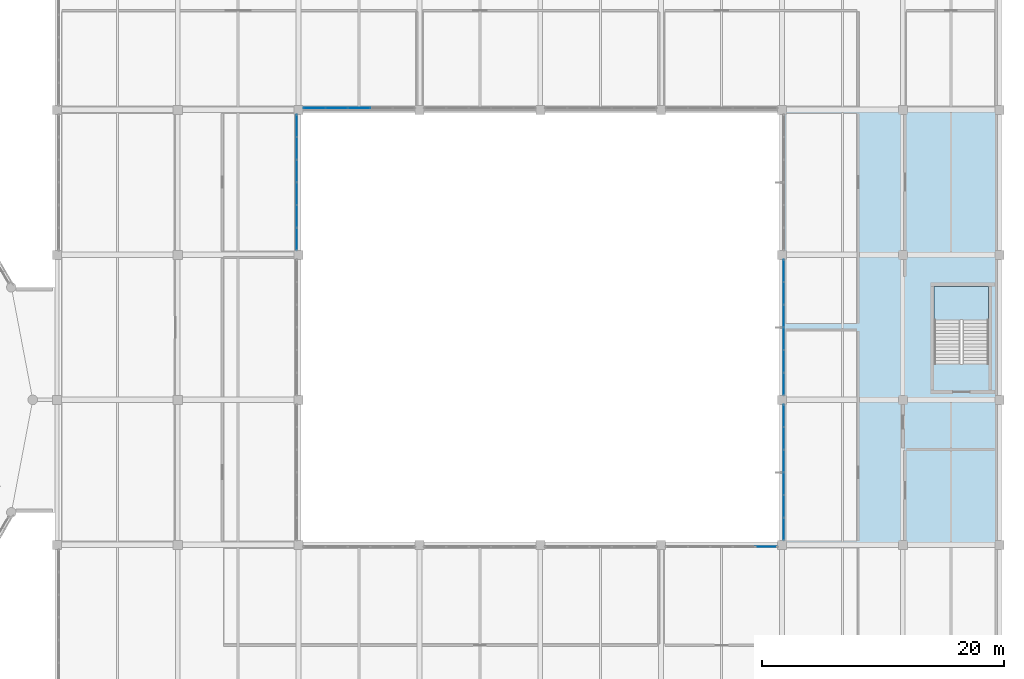
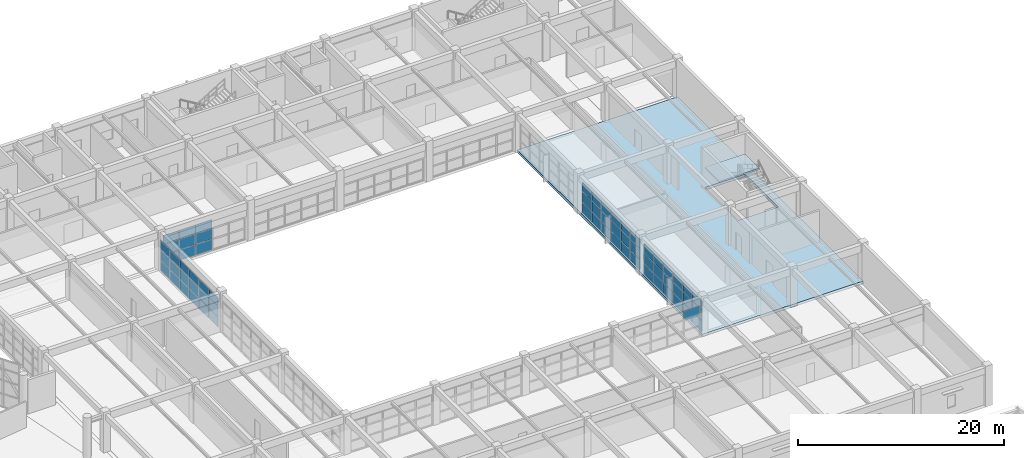
# One storey, part 76 of 109: 64 plates, 2 slabs, 6 elements without a shape of their own.
"""IFC4 building model written with IfcOpenShell, lengths in metres."""

from ifc_helpers import new_model, si_unit, direction, frame, origin, origin_2d, place, context, subcontext, project, spatial, polyline, rectangle, outline, extrude, material, layer, layer_set, type_object, element, aggregate, save


model = new_model("IFC4")

# Units and contexts
model_context = context("Model", 3, precision=1e-05, world=origin(), true_north=direction((0.0, 1.0)))
body_context = subcontext(model_context, "Body", "Model", "MODEL_VIEW")
ifc_project = project(units=[si_unit("LENGTHUNIT", "METRE"), si_unit("AREAUNIT", "SQUARE_METRE"), si_unit("VOLUMEUNIT", "CUBIC_METRE"), si_unit("PLANEANGLEUNIT", "RADIAN"), si_unit("MASSUNIT", "GRAM", prefix="KILO")], contexts=[model_context])

# Site, building, storey
site_placement = place(None, origin())
site = spatial("IfcSite", under=ifc_project, at=site_placement, CompositionType="ELEMENT")
building_placement = place(site_placement, origin())
building = spatial("IfcBuilding", under=site, at=building_placement, Name="Kivolera Central Railway Station", CompositionType="ELEMENT")
storey_placement = place(building_placement, frame((0.0, 0.0, 9.60009765625)))
storey = spatial("IfcBuildingStorey", under=building, at=storey_placement, Name="L02", CompositionType="ELEMENT", Elevation=9.60009765625)

# Curtain wall, plates
ifc_material_1 = material(Name="Anodised aluminium", Category="aluminium")
ifc_layer_1 = layer(ifc_material_1, 0.179931640625, Name="Anodised aluminium")
ifc_layer_set_1 = layer_set([ifc_layer_1], Name="Anodised aluminium")
curtain_wall_type_1 = type_object("IfcCurtainWallType", Name="CW-SYS-28", PredefinedType="NOTDEFINED", material=ifc_layer_set_1)
curtain_wall_1_placement = place(storey_placement, origin())
curtain_wall_1 = element("IfcCurtainWall", 1, at=curtain_wall_1_placement, inside=storey, type_object=curtain_wall_type_1, Name="L02 Curtain Wall CW-L02-CRTW-J", PredefinedType="NOTDEFINED")
ifc_material_2 = material(Name="Double low-E laminated glass", Category="glass")
ifc_layer_2 = layer(ifc_material_2, 0.02587890625, Name="Double low-E laminated glass")
ifc_layer_set_2 = layer_set([ifc_layer_2], Name="Double low-E laminated glass")
plate_type_1 = type_object("IfcPlateType", Name="CWP-GLZ-1", PredefinedType="CURTAIN_PANEL", material=ifc_layer_set_2)
plate_1_placement = place(storey_placement, frame((137.846923828125, 112.6767578125, 0.0478515625), z_axis=(0.0, 0.0, 1.0), x_axis=(0.0, -1.0, 0.0)))
plate_1 = element("IfcPlate", 2, at=plate_1_placement, type_object=plate_type_1, Name="CW-28 panel 1.1", PredefinedType="CURTAIN_PANEL", context=body_context, shape_type="SweptSolid", body=[
    extrude(rectangle(XDim=1.810546875, YDim=0.02587890625, at=origin_2d()), origin(), (0.0, 0.0, 1.0), 1.21435546875),
])
plate_2_placement = place(storey_placement, frame((137.846923828125, 112.6767578125, 1.29833984375), z_axis=(0.0, 0.0, 1.0), x_axis=(0.0, -1.0, 0.0)))
plate_2 = element("IfcPlate", 3, at=plate_2_placement, type_object=plate_type_1, Name="CW-28 panel 1.2", PredefinedType="CURTAIN_PANEL", context=body_context, shape_type="SweptSolid", body=[
    extrude(rectangle(XDim=1.810546875, YDim=0.02587890625, at=origin_2d()), origin(), (0.0, 0.0, 1.0), 1.244384765625),
])
plate_3_placement = place(storey_placement, frame((137.846923828125, 112.6767578125, 2.57861328125), z_axis=(0.0, 0.0, 1.0), x_axis=(0.0, -1.0, 0.0)))
plate_3 = element("IfcPlate", 4, at=plate_3_placement, type_object=plate_type_1, Name="CW-28 panel 1.3", PredefinedType="CURTAIN_PANEL", context=body_context, shape_type="SweptSolid", body=[
    extrude(rectangle(XDim=1.810546875, YDim=0.02587890625, at=origin_2d()), origin(), (0.0, 0.0, 1.0), 1.031494140625),
])
plate_4_placement = place(storey_placement, frame((137.846923828125, 110.81494140625, 0.0478515625), z_axis=(0.0, 0.0, 1.0), x_axis=(0.0, -1.0, 0.0)))
plate_4 = element("IfcPlate", 5, at=plate_4_placement, type_object=plate_type_1, Name="CW-28 panel 2.1", PredefinedType="CURTAIN_PANEL", context=body_context, shape_type="SweptSolid", body=[
    extrude(rectangle(XDim=1.840576171875, YDim=0.02587890625, at=origin_2d()), origin(), (0.0, 0.0, 1.0), 1.21435546875),
])
plate_5_placement = place(storey_placement, frame((137.846923828125, 110.81494140625, 1.29833984375), z_axis=(0.0, 0.0, 1.0), x_axis=(0.0, -1.0, 0.0)))
plate_5 = element("IfcPlate", 6, at=plate_5_placement, type_object=plate_type_1, Name="CW-28 panel 2.2", PredefinedType="CURTAIN_PANEL", context=body_context, shape_type="SweptSolid", body=[
    extrude(rectangle(XDim=1.840576171875, YDim=0.02587890625, at=origin_2d()), origin(), (0.0, 0.0, 1.0), 1.244384765625),
])
plate_6_placement = place(storey_placement, frame((137.846923828125, 110.81494140625, 2.57861328125), z_axis=(0.0, 0.0, 1.0), x_axis=(0.0, -1.0, 0.0)))
plate_6 = element("IfcPlate", 7, at=plate_6_placement, type_object=plate_type_1, Name="CW-28 panel 2.3", PredefinedType="CURTAIN_PANEL", context=body_context, shape_type="SweptSolid", body=[
    extrude(rectangle(XDim=1.840576171875, YDim=0.02587890625, at=origin_2d()), origin(), (0.0, 0.0, 1.0), 1.031494140625),
])
plate_7_placement = place(storey_placement, frame((137.846923828125, 108.938232421875, 0.0478515625), z_axis=(0.0, 0.0, 1.0), x_axis=(0.0, -1.0, 0.0)))
plate_7 = element("IfcPlate", 8, at=plate_7_placement, type_object=plate_type_1, Name="CW-28 panel 3.1", PredefinedType="CURTAIN_PANEL", context=body_context, shape_type="SweptSolid", body=[
    extrude(rectangle(XDim=1.840576171875, YDim=0.02587890625, at=origin_2d()), origin(), (0.0, 0.0, 1.0), 1.21435546875),
])
plate_8_placement = place(storey_placement, frame((137.846923828125, 108.938232421875, 1.29833984375), z_axis=(0.0, 0.0, 1.0), x_axis=(0.0, -1.0, 0.0)))
plate_8 = element("IfcPlate", 9, at=plate_8_placement, type_object=plate_type_1, Name="CW-28 panel 3.2", PredefinedType="CURTAIN_PANEL", context=body_context, shape_type="SweptSolid", body=[
    extrude(rectangle(XDim=1.840576171875, YDim=0.02587890625, at=origin_2d()), origin(), (0.0, 0.0, 1.0), 1.244384765625),
])
plate_9_placement = place(storey_placement, frame((137.846923828125, 108.938232421875, 2.57861328125), z_axis=(0.0, 0.0, 1.0), x_axis=(0.0, -1.0, 0.0)))
plate_9 = element("IfcPlate", 10, at=plate_9_placement, type_object=plate_type_1, Name="CW-28 panel 3.3", PredefinedType="CURTAIN_PANEL", context=body_context, shape_type="SweptSolid", body=[
    extrude(rectangle(XDim=1.840576171875, YDim=0.02587890625, at=origin_2d()), origin(), (0.0, 0.0, 1.0), 1.031494140625),
])
plate_10_placement = place(storey_placement, frame((137.846923828125, 107.061767578125, 0.0478515625), z_axis=(0.0, 0.0, 1.0), x_axis=(0.0, -1.0, 0.0)))
plate_10 = element("IfcPlate", 11, at=plate_10_placement, type_object=plate_type_1, Name="CW-28 panel 4.1", PredefinedType="CURTAIN_PANEL", context=body_context, shape_type="SweptSolid", body=[
    extrude(rectangle(XDim=1.840576171875, YDim=0.02587890625, at=origin_2d()), origin(), (0.0, 0.0, 1.0), 1.21435546875),
])
plate_11_placement = place(storey_placement, frame((137.846923828125, 107.061767578125, 1.29833984375), z_axis=(0.0, 0.0, 1.0), x_axis=(0.0, -1.0, 0.0)))
plate_11 = element("IfcPlate", 12, at=plate_11_placement, type_object=plate_type_1, Name="CW-28 panel 4.2", PredefinedType="CURTAIN_PANEL", context=body_context, shape_type="SweptSolid", body=[
    extrude(rectangle(XDim=1.840576171875, YDim=0.02587890625, at=origin_2d()), origin(), (0.0, 0.0, 1.0), 1.244384765625),
])
plate_12_placement = place(storey_placement, frame((137.846923828125, 107.061767578125, 2.57861328125), z_axis=(0.0, 0.0, 1.0), x_axis=(0.0, -1.0, 0.0)))
plate_12 = element("IfcPlate", 13, at=plate_12_placement, type_object=plate_type_1, Name="CW-28 panel 4.3", PredefinedType="CURTAIN_PANEL", context=body_context, shape_type="SweptSolid", body=[
    extrude(rectangle(XDim=1.840576171875, YDim=0.02587890625, at=origin_2d()), origin(), (0.0, 0.0, 1.0), 1.031494140625),
])
plate_13_placement = place(storey_placement, frame((137.846923828125, 105.18505859375, 0.0478515625), z_axis=(0.0, 0.0, 1.0), x_axis=(0.0, -1.0, 0.0)))
plate_13 = element("IfcPlate", 14, at=plate_13_placement, type_object=plate_type_1, Name="CW-28 panel 5.1", PredefinedType="CURTAIN_PANEL", context=body_context, shape_type="SweptSolid", body=[
    extrude(rectangle(XDim=1.840576171875, YDim=0.02587890625, at=origin_2d()), origin(), (0.0, 0.0, 1.0), 1.21435546875),
])
plate_14_placement = place(storey_placement, frame((137.846923828125, 105.18505859375, 1.29833984375), z_axis=(0.0, 0.0, 1.0), x_axis=(0.0, -1.0, 0.0)))
plate_14 = element("IfcPlate", 15, at=plate_14_placement, type_object=plate_type_1, Name="CW-28 panel 5.2", PredefinedType="CURTAIN_PANEL", context=body_context, shape_type="SweptSolid", body=[
    extrude(rectangle(XDim=1.840576171875, YDim=0.02587890625, at=origin_2d()), origin(), (0.0, 0.0, 1.0), 1.244384765625),
])
plate_15_placement = place(storey_placement, frame((137.846923828125, 105.18505859375, 2.57861328125), z_axis=(0.0, 0.0, 1.0), x_axis=(0.0, -1.0, 0.0)))
plate_15 = element("IfcPlate", 16, at=plate_15_placement, type_object=plate_type_1, Name="CW-28 panel 5.3", PredefinedType="CURTAIN_PANEL", context=body_context, shape_type="SweptSolid", body=[
    extrude(rectangle(XDim=1.840576171875, YDim=0.02587890625, at=origin_2d()), origin(), (0.0, 0.0, 1.0), 1.031494140625),
])
plate_16_placement = place(storey_placement, frame((137.846923828125, 103.3232421875, 0.0478515625), z_axis=(0.0, 0.0, 1.0), x_axis=(0.0, -1.0, 0.0)))
plate_16 = element("IfcPlate", 17, at=plate_16_placement, type_object=plate_type_1, Name="CW-28 panel 6.1", PredefinedType="CURTAIN_PANEL", context=body_context, shape_type="SweptSolid", body=[
    extrude(rectangle(XDim=1.810546875, YDim=0.02587890625, at=origin_2d()), origin(), (0.0, 0.0, 1.0), 1.21435546875),
])
plate_17_placement = place(storey_placement, frame((137.846923828125, 103.3232421875, 1.29833984375), z_axis=(0.0, 0.0, 1.0), x_axis=(0.0, -1.0, 0.0)))
plate_17 = element("IfcPlate", 18, at=plate_17_placement, type_object=plate_type_1, Name="CW-28 panel 6.2", PredefinedType="CURTAIN_PANEL", context=body_context, shape_type="SweptSolid", body=[
    extrude(rectangle(XDim=1.810546875, YDim=0.02587890625, at=origin_2d()), origin(), (0.0, 0.0, 1.0), 1.244384765625),
])
plate_18_placement = place(storey_placement, frame((137.846923828125, 103.3232421875, 2.57861328125), z_axis=(0.0, 0.0, 1.0), x_axis=(0.0, -1.0, 0.0)))
plate_18 = element("IfcPlate", 19, at=plate_18_placement, type_object=plate_type_1, Name="CW-28 panel 6.3", PredefinedType="CURTAIN_PANEL", context=body_context, shape_type="SweptSolid", body=[
    extrude(rectangle(XDim=1.810546875, YDim=0.02587890625, at=origin_2d()), origin(), (0.0, 0.0, 1.0), 1.031494140625),
])
aggregate(curtain_wall_1, [plate_1, plate_2, plate_3, plate_4, plate_5, plate_6, plate_7, plate_8, plate_9, plate_10, plate_11, plate_12, plate_13, plate_14, plate_15, plate_16, plate_17, plate_18])

ifc_layer_3 = layer(ifc_material_1, 0.179931640625, Name="Anodised aluminium")
ifc_layer_set_3 = layer_set([ifc_layer_3], Name="Anodised aluminium")
curtain_wall_type_2 = type_object("IfcCurtainWallType", Name="CW-SYS-27", PredefinedType="NOTDEFINED", material=ifc_layer_set_3)
curtain_wall_2_placement = place(storey_placement, origin())
curtain_wall_2 = element("IfcCurtainWall", 20, at=curtain_wall_2_placement, inside=storey, type_object=curtain_wall_type_2, Name="L02 Curtain Wall CW-L02-CRTN-138", PredefinedType="NOTDEFINED")
ifc_layer_4 = layer(ifc_material_2, 0.030029296875, Name="Double low-E laminated glass")
ifc_layer_set_4 = layer_set([ifc_layer_4], Name="Double low-E laminated glass")
plate_type_2 = type_object("IfcPlateType", Name="CWP-GLZ-2", PredefinedType="CURTAIN_PANEL", material=ifc_layer_set_4)
plate_19_placement = place(storey_placement, frame((143.0, 114.153076171875, 0.0478515625), z_axis=(0.0, 0.0, 1.0), x_axis=(-1.0, 0.0, 0.0)))
plate_19 = element("IfcPlate", 21, at=plate_19_placement, type_object=plate_type_2, Name="CW-27 panel 3.1", PredefinedType="CURTAIN_PANEL", context=body_context, shape_type="SweptSolid", body=[
    extrude(rectangle(XDim=1.81591796875, YDim=0.030029296875, at=origin_2d()), origin(), (0.0, 0.0, 1.0), 1.21435546875),
])
plate_20_placement = place(storey_placement, frame((143.0, 114.153076171875, 1.29833984375), z_axis=(0.0, 0.0, 1.0), x_axis=(-1.0, 0.0, 0.0)))
plate_20 = element("IfcPlate", 22, at=plate_20_placement, type_object=plate_type_2, Name="CW-27 panel 3.2", PredefinedType="CURTAIN_PANEL", context=body_context, shape_type="SweptSolid", body=[
    extrude(rectangle(XDim=1.81591796875, YDim=0.030029296875, at=origin_2d()), origin(), (0.0, 0.0, 1.0), 1.244384765625),
])
plate_21_placement = place(storey_placement, frame((143.0, 114.153076171875, 2.57861328125), z_axis=(0.0, 0.0, 1.0), x_axis=(-1.0, 0.0, 0.0)))
plate_21 = element("IfcPlate", 23, at=plate_21_placement, type_object=plate_type_2, Name="CW-27 panel 3.3", PredefinedType="CURTAIN_PANEL", context=body_context, shape_type="SweptSolid", body=[
    extrude(rectangle(XDim=1.81591796875, YDim=0.030029296875, at=origin_2d()), origin(), (0.0, 0.0, 1.0), 1.031494140625),
])
plate_22_placement = place(storey_placement, frame((141.14794921875, 114.153076171875, 0.0478515625), z_axis=(0.0, 0.0, 1.0), x_axis=(-1.0, 0.0, 0.0)))
plate_22 = element("IfcPlate", 24, at=plate_22_placement, type_object=plate_type_2, Name="CW-27 panel 4.1", PredefinedType="CURTAIN_PANEL", context=body_context, shape_type="SweptSolid", body=[
    extrude(rectangle(XDim=1.81591796875, YDim=0.030029296875, at=origin_2d()), origin(), (0.0, 0.0, 1.0), 1.21435546875),
])
plate_23_placement = place(storey_placement, frame((141.14794921875, 114.153076171875, 1.29833984375), z_axis=(0.0, 0.0, 1.0), x_axis=(-1.0, 0.0, 0.0)))
plate_23 = element("IfcPlate", 25, at=plate_23_placement, type_object=plate_type_2, Name="CW-27 panel 4.2", PredefinedType="CURTAIN_PANEL", context=body_context, shape_type="SweptSolid", body=[
    extrude(rectangle(XDim=1.81591796875, YDim=0.030029296875, at=origin_2d()), origin(), (0.0, 0.0, 1.0), 1.244384765625),
])
plate_24_placement = place(storey_placement, frame((141.14794921875, 114.153076171875, 2.57861328125), z_axis=(0.0, 0.0, 1.0), x_axis=(-1.0, 0.0, 0.0)))
plate_24 = element("IfcPlate", 26, at=plate_24_placement, type_object=plate_type_2, Name="CW-27 panel 4.3", PredefinedType="CURTAIN_PANEL", context=body_context, shape_type="SweptSolid", body=[
    extrude(rectangle(XDim=1.81591796875, YDim=0.030029296875, at=origin_2d()), origin(), (0.0, 0.0, 1.0), 1.031494140625),
])
plate_25_placement = place(storey_placement, frame((139.31103515625, 114.153076171875, 0.0478515625), z_axis=(0.0, 0.0, 1.0), x_axis=(-1.0, 0.0, 0.0)))
plate_25 = element("IfcPlate", 27, at=plate_25_placement, type_object=plate_type_2, Name="CW-27 panel 5.1", PredefinedType="CURTAIN_PANEL", context=body_context, shape_type="SweptSolid", body=[
    extrude(rectangle(XDim=1.785888671875, YDim=0.030029296875, at=origin_2d()), origin(), (0.0, 0.0, 1.0), 1.21435546875),
])
plate_26_placement = place(storey_placement, frame((139.31103515625, 114.153076171875, 1.29833984375), z_axis=(0.0, 0.0, 1.0), x_axis=(-1.0, 0.0, 0.0)))
plate_26 = element("IfcPlate", 28, at=plate_26_placement, type_object=plate_type_2, Name="CW-27 panel 5.2", PredefinedType="CURTAIN_PANEL", context=body_context, shape_type="SweptSolid", body=[
    extrude(rectangle(XDim=1.785888671875, YDim=0.030029296875, at=origin_2d()), origin(), (0.0, 0.0, 1.0), 1.244384765625),
])
plate_27_placement = place(storey_placement, frame((139.31103515625, 114.153076171875, 2.57861328125), z_axis=(0.0, 0.0, 1.0), x_axis=(-1.0, 0.0, 0.0)))
plate_27 = element("IfcPlate", 29, at=plate_27_placement, type_object=plate_type_2, Name="CW-27 panel 5.3", PredefinedType="CURTAIN_PANEL", context=body_context, shape_type="SweptSolid", body=[
    extrude(rectangle(XDim=1.785888671875, YDim=0.030029296875, at=origin_2d()), origin(), (0.0, 0.0, 1.0), 1.031494140625),
])
aggregate(curtain_wall_2, [plate_19, plate_20, plate_21, plate_22, plate_23, plate_24, plate_25, plate_26, plate_27])

curtain_wall_3_placement = place(storey_placement, origin())
curtain_wall_3 = element("IfcCurtainWall", 30, at=curtain_wall_3_placement, inside=storey, type_object=curtain_wall_type_1, Name="L02 Curtain Wall CW-L02-CRTE-G", PredefinedType="NOTDEFINED")
plate_28_placement = place(storey_placement, frame((178.153076171875, 79.3232421875, 0.0478515625), z_axis=(0.0, 0.0, 1.0), x_axis=(0.0, 1.0, 0.0)))
plate_28 = element("IfcPlate", 31, at=plate_28_placement, type_object=plate_type_2, Name="CW-28 panel 1.1", PredefinedType="CURTAIN_PANEL", context=body_context, shape_type="SweptSolid", body=[
    extrude(rectangle(XDim=1.810546875, YDim=0.030029296875, at=origin_2d()), origin(), (0.0, 0.0, 1.0), 1.21435546875),
])
plate_29_placement = place(storey_placement, frame((178.153076171875, 79.3232421875, 1.29833984375), z_axis=(0.0, 0.0, 1.0), x_axis=(0.0, 1.0, 0.0)))
plate_29 = element("IfcPlate", 32, at=plate_29_placement, type_object=plate_type_2, Name="CW-28 panel 1.2", PredefinedType="CURTAIN_PANEL", context=body_context, shape_type="SweptSolid", body=[
    extrude(rectangle(XDim=1.810546875, YDim=0.030029296875, at=origin_2d()), origin(), (0.0, 0.0, 1.0), 1.244384765625),
])
plate_30_placement = place(storey_placement, frame((178.153076171875, 79.3232421875, 2.57861328125), z_axis=(0.0, 0.0, 1.0), x_axis=(0.0, 1.0, 0.0)))
plate_30 = element("IfcPlate", 33, at=plate_30_placement, type_object=plate_type_2, Name="CW-28 panel 1.3", PredefinedType="CURTAIN_PANEL", context=body_context, shape_type="SweptSolid", body=[
    extrude(rectangle(XDim=1.810546875, YDim=0.030029296875, at=origin_2d()), origin(), (0.0, 0.0, 1.0), 1.031494140625),
])
plate_31_placement = place(storey_placement, frame((178.153076171875, 81.18505859375, 0.0478515625), z_axis=(0.0, 0.0, 1.0), x_axis=(0.0, 1.0, 0.0)))
plate_31 = element("IfcPlate", 34, at=plate_31_placement, type_object=plate_type_2, Name="CW-28 panel 2.1", PredefinedType="CURTAIN_PANEL", context=body_context, shape_type="SweptSolid", body=[
    extrude(rectangle(XDim=1.840576171875, YDim=0.030029296875, at=origin_2d()), origin(), (0.0, 0.0, 1.0), 1.21435546875),
])
plate_32_placement = place(storey_placement, frame((178.153076171875, 81.18505859375, 1.29833984375), z_axis=(0.0, 0.0, 1.0), x_axis=(0.0, 1.0, 0.0)))
plate_32 = element("IfcPlate", 35, at=plate_32_placement, type_object=plate_type_2, Name="CW-28 panel 2.2", PredefinedType="CURTAIN_PANEL", context=body_context, shape_type="SweptSolid", body=[
    extrude(rectangle(XDim=1.840576171875, YDim=0.030029296875, at=origin_2d()), origin(), (0.0, 0.0, 1.0), 1.244384765625),
])
plate_33_placement = place(storey_placement, frame((178.153076171875, 81.18505859375, 2.57861328125), z_axis=(0.0, 0.0, 1.0), x_axis=(0.0, 1.0, 0.0)))
plate_33 = element("IfcPlate", 36, at=plate_33_placement, type_object=plate_type_2, Name="CW-28 panel 2.3", PredefinedType="CURTAIN_PANEL", context=body_context, shape_type="SweptSolid", body=[
    extrude(rectangle(XDim=1.840576171875, YDim=0.030029296875, at=origin_2d()), origin(), (0.0, 0.0, 1.0), 1.031494140625),
])
plate_34_placement = place(storey_placement, frame((178.153076171875, 83.061767578125, 0.0478515625), z_axis=(0.0, 0.0, 1.0), x_axis=(0.0, 1.0, 0.0)))
plate_34 = element("IfcPlate", 37, at=plate_34_placement, type_object=plate_type_2, Name="CW-28 panel 3.1", PredefinedType="CURTAIN_PANEL", context=body_context, shape_type="SweptSolid", body=[
    extrude(rectangle(XDim=1.840576171875, YDim=0.030029296875, at=origin_2d()), origin(), (0.0, 0.0, 1.0), 1.21435546875),
])
plate_35_placement = place(storey_placement, frame((178.153076171875, 83.061767578125, 1.29833984375), z_axis=(0.0, 0.0, 1.0), x_axis=(0.0, 1.0, 0.0)))
plate_35 = element("IfcPlate", 38, at=plate_35_placement, type_object=plate_type_2, Name="CW-28 panel 3.2", PredefinedType="CURTAIN_PANEL", context=body_context, shape_type="SweptSolid", body=[
    extrude(rectangle(XDim=1.840576171875, YDim=0.030029296875, at=origin_2d()), origin(), (0.0, 0.0, 1.0), 1.244384765625),
])
plate_36_placement = place(storey_placement, frame((178.153076171875, 83.061767578125, 2.57861328125), z_axis=(0.0, 0.0, 1.0), x_axis=(0.0, 1.0, 0.0)))
plate_36 = element("IfcPlate", 39, at=plate_36_placement, type_object=plate_type_2, Name="CW-28 panel 3.3", PredefinedType="CURTAIN_PANEL", context=body_context, shape_type="SweptSolid", body=[
    extrude(rectangle(XDim=1.840576171875, YDim=0.030029296875, at=origin_2d()), origin(), (0.0, 0.0, 1.0), 1.031494140625),
])
plate_37_placement = place(storey_placement, frame((178.153076171875, 84.938232421875, 0.0478515625), z_axis=(0.0, 0.0, 1.0), x_axis=(0.0, 1.0, 0.0)))
plate_37 = element("IfcPlate", 40, at=plate_37_placement, type_object=plate_type_2, Name="CW-28 panel 4.1", PredefinedType="CURTAIN_PANEL", context=body_context, shape_type="SweptSolid", body=[
    extrude(rectangle(XDim=1.840576171875, YDim=0.030029296875, at=origin_2d()), origin(), (0.0, 0.0, 1.0), 1.21435546875),
])
plate_38_placement = place(storey_placement, frame((178.153076171875, 84.938232421875, 1.29833984375), z_axis=(0.0, 0.0, 1.0), x_axis=(0.0, 1.0, 0.0)))
plate_38 = element("IfcPlate", 41, at=plate_38_placement, type_object=plate_type_2, Name="CW-28 panel 4.2", PredefinedType="CURTAIN_PANEL", context=body_context, shape_type="SweptSolid", body=[
    extrude(rectangle(XDim=1.840576171875, YDim=0.030029296875, at=origin_2d()), origin(), (0.0, 0.0, 1.0), 1.244384765625),
])
plate_39_placement = place(storey_placement, frame((178.153076171875, 84.938232421875, 2.57861328125), z_axis=(0.0, 0.0, 1.0), x_axis=(0.0, 1.0, 0.0)))
plate_39 = element("IfcPlate", 42, at=plate_39_placement, type_object=plate_type_2, Name="CW-28 panel 4.3", PredefinedType="CURTAIN_PANEL", context=body_context, shape_type="SweptSolid", body=[
    extrude(rectangle(XDim=1.840576171875, YDim=0.030029296875, at=origin_2d()), origin(), (0.0, 0.0, 1.0), 1.031494140625),
])
plate_40_placement = place(storey_placement, frame((178.153076171875, 86.81494140625, 0.0478515625), z_axis=(0.0, 0.0, 1.0), x_axis=(0.0, 1.0, 0.0)))
plate_40 = element("IfcPlate", 43, at=plate_40_placement, type_object=plate_type_2, Name="CW-28 panel 5.1", PredefinedType="CURTAIN_PANEL", context=body_context, shape_type="SweptSolid", body=[
    extrude(rectangle(XDim=1.840576171875, YDim=0.030029296875, at=origin_2d()), origin(), (0.0, 0.0, 1.0), 1.21435546875),
])
plate_41_placement = place(storey_placement, frame((178.153076171875, 86.81494140625, 1.29833984375), z_axis=(0.0, 0.0, 1.0), x_axis=(0.0, 1.0, 0.0)))
plate_41 = element("IfcPlate", 44, at=plate_41_placement, type_object=plate_type_2, Name="CW-28 panel 5.2", PredefinedType="CURTAIN_PANEL", context=body_context, shape_type="SweptSolid", body=[
    extrude(rectangle(XDim=1.840576171875, YDim=0.030029296875, at=origin_2d()), origin(), (0.0, 0.0, 1.0), 1.244384765625),
])
plate_42_placement = place(storey_placement, frame((178.153076171875, 86.81494140625, 2.57861328125), z_axis=(0.0, 0.0, 1.0), x_axis=(0.0, 1.0, 0.0)))
plate_42 = element("IfcPlate", 45, at=plate_42_placement, type_object=plate_type_2, Name="CW-28 panel 5.3", PredefinedType="CURTAIN_PANEL", context=body_context, shape_type="SweptSolid", body=[
    extrude(rectangle(XDim=1.840576171875, YDim=0.030029296875, at=origin_2d()), origin(), (0.0, 0.0, 1.0), 1.031494140625),
])
plate_43_placement = place(storey_placement, frame((178.153076171875, 88.6767578125, 0.0478515625), z_axis=(0.0, 0.0, 1.0), x_axis=(0.0, 1.0, 0.0)))
plate_43 = element("IfcPlate", 46, at=plate_43_placement, type_object=plate_type_2, Name="CW-28 panel 6.1", PredefinedType="CURTAIN_PANEL", context=body_context, shape_type="SweptSolid", body=[
    extrude(rectangle(XDim=1.810546875, YDim=0.030029296875, at=origin_2d()), origin(), (0.0, 0.0, 1.0), 1.21435546875),
])
plate_44_placement = place(storey_placement, frame((178.153076171875, 88.6767578125, 1.29833984375), z_axis=(0.0, 0.0, 1.0), x_axis=(0.0, 1.0, 0.0)))
plate_44 = element("IfcPlate", 47, at=plate_44_placement, type_object=plate_type_2, Name="CW-28 panel 6.2", PredefinedType="CURTAIN_PANEL", context=body_context, shape_type="SweptSolid", body=[
    extrude(rectangle(XDim=1.810546875, YDim=0.030029296875, at=origin_2d()), origin(), (0.0, 0.0, 1.0), 1.244384765625),
])
plate_45_placement = place(storey_placement, frame((178.153076171875, 88.6767578125, 2.57861328125), z_axis=(0.0, 0.0, 1.0), x_axis=(0.0, 1.0, 0.0)))
plate_45 = element("IfcPlate", 48, at=plate_45_placement, type_object=plate_type_2, Name="CW-28 panel 6.3", PredefinedType="CURTAIN_PANEL", context=body_context, shape_type="SweptSolid", body=[
    extrude(rectangle(XDim=1.810546875, YDim=0.030029296875, at=origin_2d()), origin(), (0.0, 0.0, 1.0), 1.031494140625),
])
aggregate(curtain_wall_3, [plate_28, plate_29, plate_30, plate_31, plate_32, plate_33, plate_34, plate_35, plate_36, plate_37, plate_38, plate_39, plate_40, plate_41, plate_42, plate_43, plate_44, plate_45])

curtain_wall_4_placement = place(storey_placement, origin())
curtain_wall_4 = element("IfcCurtainWall", 49, at=curtain_wall_4_placement, inside=storey, type_object=curtain_wall_type_1, Name="L02 Curtain Wall CW-L02-CRTE-H", PredefinedType="NOTDEFINED")
plate_46_placement = place(storey_placement, frame((178.153076171875, 91.3232421875, 0.0478515625), z_axis=(0.0, 0.0, 1.0), x_axis=(0.0, 1.0, 0.0)))
plate_46 = element("IfcPlate", 50, at=plate_46_placement, type_object=plate_type_2, Name="CW-28 panel 1.1", PredefinedType="CURTAIN_PANEL", context=body_context, shape_type="SweptSolid", body=[
    extrude(rectangle(XDim=1.810546875, YDim=0.030029296875, at=origin_2d()), origin(), (0.0, 0.0, 1.0), 1.21435546875),
])
plate_47_placement = place(storey_placement, frame((178.153076171875, 91.3232421875, 1.29833984375), z_axis=(0.0, 0.0, 1.0), x_axis=(0.0, 1.0, 0.0)))
plate_47 = element("IfcPlate", 51, at=plate_47_placement, type_object=plate_type_2, Name="CW-28 panel 1.2", PredefinedType="CURTAIN_PANEL", context=body_context, shape_type="SweptSolid", body=[
    extrude(rectangle(XDim=1.810546875, YDim=0.030029296875, at=origin_2d()), origin(), (0.0, 0.0, 1.0), 1.244384765625),
])
plate_48_placement = place(storey_placement, frame((178.153076171875, 91.3232421875, 2.57861328125), z_axis=(0.0, 0.0, 1.0), x_axis=(0.0, 1.0, 0.0)))
plate_48 = element("IfcPlate", 52, at=plate_48_placement, type_object=plate_type_2, Name="CW-28 panel 1.3", PredefinedType="CURTAIN_PANEL", context=body_context, shape_type="SweptSolid", body=[
    extrude(rectangle(XDim=1.810546875, YDim=0.030029296875, at=origin_2d()), origin(), (0.0, 0.0, 1.0), 1.031494140625),
])
plate_49_placement = place(storey_placement, frame((178.153076171875, 93.18505859375, 0.0478515625), z_axis=(0.0, 0.0, 1.0), x_axis=(0.0, 1.0, 0.0)))
plate_49 = element("IfcPlate", 53, at=plate_49_placement, type_object=plate_type_2, Name="CW-28 panel 2.1", PredefinedType="CURTAIN_PANEL", context=body_context, shape_type="SweptSolid", body=[
    extrude(rectangle(XDim=1.840576171875, YDim=0.030029296875, at=origin_2d()), origin(), (0.0, 0.0, 1.0), 1.21435546875),
])
plate_50_placement = place(storey_placement, frame((178.153076171875, 93.18505859375, 1.29833984375), z_axis=(0.0, 0.0, 1.0), x_axis=(0.0, 1.0, 0.0)))
plate_50 = element("IfcPlate", 54, at=plate_50_placement, type_object=plate_type_2, Name="CW-28 panel 2.2", PredefinedType="CURTAIN_PANEL", context=body_context, shape_type="SweptSolid", body=[
    extrude(rectangle(XDim=1.840576171875, YDim=0.030029296875, at=origin_2d()), origin(), (0.0, 0.0, 1.0), 1.244384765625),
])
plate_51_placement = place(storey_placement, frame((178.153076171875, 93.18505859375, 2.57861328125), z_axis=(0.0, 0.0, 1.0), x_axis=(0.0, 1.0, 0.0)))
plate_51 = element("IfcPlate", 55, at=plate_51_placement, type_object=plate_type_2, Name="CW-28 panel 2.3", PredefinedType="CURTAIN_PANEL", context=body_context, shape_type="SweptSolid", body=[
    extrude(rectangle(XDim=1.840576171875, YDim=0.030029296875, at=origin_2d()), origin(), (0.0, 0.0, 1.0), 1.031494140625),
])
plate_52_placement = place(storey_placement, frame((178.153076171875, 95.061767578125, 0.0478515625), z_axis=(0.0, 0.0, 1.0), x_axis=(0.0, 1.0, 0.0)))
plate_52 = element("IfcPlate", 56, at=plate_52_placement, type_object=plate_type_2, Name="CW-28 panel 3.1", PredefinedType="CURTAIN_PANEL", context=body_context, shape_type="SweptSolid", body=[
    extrude(rectangle(XDim=1.840576171875, YDim=0.030029296875, at=origin_2d()), origin(), (0.0, 0.0, 1.0), 1.21435546875),
])
plate_53_placement = place(storey_placement, frame((178.153076171875, 95.061767578125, 1.29833984375), z_axis=(0.0, 0.0, 1.0), x_axis=(0.0, 1.0, 0.0)))
plate_53 = element("IfcPlate", 57, at=plate_53_placement, type_object=plate_type_2, Name="CW-28 panel 3.2", PredefinedType="CURTAIN_PANEL", context=body_context, shape_type="SweptSolid", body=[
    extrude(rectangle(XDim=1.840576171875, YDim=0.030029296875, at=origin_2d()), origin(), (0.0, 0.0, 1.0), 1.244384765625),
])
plate_54_placement = place(storey_placement, frame((178.153076171875, 95.061767578125, 2.57861328125), z_axis=(0.0, 0.0, 1.0), x_axis=(0.0, 1.0, 0.0)))
plate_54 = element("IfcPlate", 58, at=plate_54_placement, type_object=plate_type_2, Name="CW-28 panel 3.3", PredefinedType="CURTAIN_PANEL", context=body_context, shape_type="SweptSolid", body=[
    extrude(rectangle(XDim=1.840576171875, YDim=0.030029296875, at=origin_2d()), origin(), (0.0, 0.0, 1.0), 1.031494140625),
])
plate_55_placement = place(storey_placement, frame((178.153076171875, 96.938232421875, 0.0478515625), z_axis=(0.0, 0.0, 1.0), x_axis=(0.0, 1.0, 0.0)))
plate_55 = element("IfcPlate", 59, at=plate_55_placement, type_object=plate_type_2, Name="CW-28 panel 4.1", PredefinedType="CURTAIN_PANEL", context=body_context, shape_type="SweptSolid", body=[
    extrude(rectangle(XDim=1.840576171875, YDim=0.030029296875, at=origin_2d()), origin(), (0.0, 0.0, 1.0), 1.21435546875),
])
plate_56_placement = place(storey_placement, frame((178.153076171875, 96.938232421875, 1.29833984375), z_axis=(0.0, 0.0, 1.0), x_axis=(0.0, 1.0, 0.0)))
plate_56 = element("IfcPlate", 60, at=plate_56_placement, type_object=plate_type_2, Name="CW-28 panel 4.2", PredefinedType="CURTAIN_PANEL", context=body_context, shape_type="SweptSolid", body=[
    extrude(rectangle(XDim=1.840576171875, YDim=0.030029296875, at=origin_2d()), origin(), (0.0, 0.0, 1.0), 1.244384765625),
])
plate_57_placement = place(storey_placement, frame((178.153076171875, 96.938232421875, 2.57861328125), z_axis=(0.0, 0.0, 1.0), x_axis=(0.0, 1.0, 0.0)))
plate_57 = element("IfcPlate", 61, at=plate_57_placement, type_object=plate_type_2, Name="CW-28 panel 4.3", PredefinedType="CURTAIN_PANEL", context=body_context, shape_type="SweptSolid", body=[
    extrude(rectangle(XDim=1.840576171875, YDim=0.030029296875, at=origin_2d()), origin(), (0.0, 0.0, 1.0), 1.031494140625),
])
plate_58_placement = place(storey_placement, frame((178.153076171875, 98.81494140625, 0.0478515625), z_axis=(0.0, 0.0, 1.0), x_axis=(0.0, 1.0, 0.0)))
plate_58 = element("IfcPlate", 62, at=plate_58_placement, type_object=plate_type_2, Name="CW-28 panel 5.1", PredefinedType="CURTAIN_PANEL", context=body_context, shape_type="SweptSolid", body=[
    extrude(rectangle(XDim=1.840576171875, YDim=0.030029296875, at=origin_2d()), origin(), (0.0, 0.0, 1.0), 1.21435546875),
])
plate_59_placement = place(storey_placement, frame((178.153076171875, 98.81494140625, 1.29833984375), z_axis=(0.0, 0.0, 1.0), x_axis=(0.0, 1.0, 0.0)))
plate_59 = element("IfcPlate", 63, at=plate_59_placement, type_object=plate_type_2, Name="CW-28 panel 5.2", PredefinedType="CURTAIN_PANEL", context=body_context, shape_type="SweptSolid", body=[
    extrude(rectangle(XDim=1.840576171875, YDim=0.030029296875, at=origin_2d()), origin(), (0.0, 0.0, 1.0), 1.244384765625),
])
plate_60_placement = place(storey_placement, frame((178.153076171875, 98.81494140625, 2.57861328125), z_axis=(0.0, 0.0, 1.0), x_axis=(0.0, 1.0, 0.0)))
plate_60 = element("IfcPlate", 64, at=plate_60_placement, type_object=plate_type_2, Name="CW-28 panel 5.3", PredefinedType="CURTAIN_PANEL", context=body_context, shape_type="SweptSolid", body=[
    extrude(rectangle(XDim=1.840576171875, YDim=0.030029296875, at=origin_2d()), origin(), (0.0, 0.0, 1.0), 1.031494140625),
])
plate_61_placement = place(storey_placement, frame((178.153076171875, 100.6767578125, 0.0478515625), z_axis=(0.0, 0.0, 1.0), x_axis=(0.0, 1.0, 0.0)))
plate_61 = element("IfcPlate", 65, at=plate_61_placement, type_object=plate_type_2, Name="CW-28 panel 6.1", PredefinedType="CURTAIN_PANEL", context=body_context, shape_type="SweptSolid", body=[
    extrude(rectangle(XDim=1.810546875, YDim=0.030029296875, at=origin_2d()), origin(), (0.0, 0.0, 1.0), 1.21435546875),
])
plate_62_placement = place(storey_placement, frame((178.153076171875, 100.6767578125, 1.29833984375), z_axis=(0.0, 0.0, 1.0), x_axis=(0.0, 1.0, 0.0)))
plate_62 = element("IfcPlate", 66, at=plate_62_placement, type_object=plate_type_2, Name="CW-28 panel 6.2", PredefinedType="CURTAIN_PANEL", context=body_context, shape_type="SweptSolid", body=[
    extrude(rectangle(XDim=1.810546875, YDim=0.030029296875, at=origin_2d()), origin(), (0.0, 0.0, 1.0), 1.244384765625),
])
plate_63_placement = place(storey_placement, frame((178.153076171875, 100.6767578125, 2.57861328125), z_axis=(0.0, 0.0, 1.0), x_axis=(0.0, 1.0, 0.0)))
plate_63 = element("IfcPlate", 67, at=plate_63_placement, type_object=plate_type_2, Name="CW-28 panel 6.3", PredefinedType="CURTAIN_PANEL", context=body_context, shape_type="SweptSolid", body=[
    extrude(rectangle(XDim=1.810546875, YDim=0.030029296875, at=origin_2d()), origin(), (0.0, 0.0, 1.0), 1.031494140625),
])
aggregate(curtain_wall_4, [plate_46, plate_47, plate_48, plate_49, plate_50, plate_51, plate_52, plate_53, plate_54, plate_55, plate_56, plate_57, plate_58, plate_59, plate_60, plate_61, plate_62, plate_63])

# Curtain wall, plate
curtain_wall_5_placement = place(storey_placement, origin())
curtain_wall_5 = element("IfcCurtainWall", 68, at=curtain_wall_5_placement, inside=storey, type_object=curtain_wall_type_2, Name="L02 Curtain Wall CW-L02-CRTS-168", PredefinedType="NOTDEFINED")
ifc_layer_5 = layer(ifc_material_2, 0.033935546875, Name="Double low-E laminated glass")
ifc_layer_set_5 = layer_set([ifc_layer_5], Name="Double low-E laminated glass")
plate_type_3 = type_object("IfcPlateType", Name="CWP-GLZ-3", PredefinedType="CURTAIN_PANEL", material=ifc_layer_set_5)
plate_64_placement = place(storey_placement, frame((176.68896484375, 77.846923828125, 2.57861328125), z_axis=(0.0, 0.0, 1.0), x_axis=(1.0, 0.0, 0.0)))
plate_64 = element("IfcPlate", 69, at=plate_64_placement, type_object=plate_type_3, Name="CW-27 panel 5.3", PredefinedType="CURTAIN_PANEL", context=body_context, shape_type="SweptSolid", body=[
    extrude(rectangle(XDim=1.785888671875, YDim=0.033935546875, at=origin_2d()), origin(), (0.0, 0.0, 1.0), 1.031494140625),
])
aggregate(curtain_wall_5, [plate_64])

# Slab
ifc_material_3 = material(Name="Concrete C40/50", Category="concrete")
ifc_layer_6 = layer(ifc_material_3, 0.320068359375, Name="Concrete C40/50")
ifc_layer_set_6 = layer_set([ifc_layer_6], Name="Concrete C40/50")
slab_type_1 = type_object("IfcSlabType", Name="SLB-FLR-320", PredefinedType="FLOOR", material=ifc_layer_set_6)
slab_1_placement = place(storey_placement, frame((0.0, 0.0, -0.320068359375)))
element("IfcSlab", 70, at=slab_1_placement, inside=storey, type_object=slab_type_1, Name="L02 Wing EAST Floor Slab", PredefinedType="FLOOR", context=body_context, shape_type="SweptSolid", body=[
    extrude(outline(polyline([(178.0, 78.0), (196.0, 78.0), (196.0, 114.0), (178.0, 114.0), (178.0, 78.0)]), holes=[polyline([(195.10009765625, 92.9599609375), (195.10009765625, 99.39990234375), (190.60009765625, 99.39990234375), (190.60009765625, 92.9599609375), (195.10009765625, 92.9599609375)])]), origin(), (0.0, 0.0, 1.0), 0.320068359375),
])

# Stair, slab
stair_type = type_object("IfcStairType", Name="STR-2160-28", PredefinedType="HALF_TURN_STAIR", material=ifc_material_3)
stair_placement = place(storey_placement, origin())
stair = element("IfcStair", 71, at=stair_placement, inside=storey, type_object=stair_type, Name="L02 Protected Exit Stair ST11", PredefinedType="HALF_TURN_STAIR")
ifc_layer_7 = layer(ifc_material_3, 0.199951171875, Name="Concrete C40/50")
ifc_layer_set_7 = layer_set([ifc_layer_7], Name="Concrete C40/50")
slab_type_2 = type_object("IfcSlabType", Name="SLB-LND-200", PredefinedType="LANDING", material=ifc_layer_set_7)
slab_2_placement = place(storey_placement, frame((0.0, 0.0, 2.199951171875)))
slab_2 = element("IfcSlab", 72, at=slab_2_placement, type_object=slab_type_2, Name="ST11 landing 1", PredefinedType="LANDING", context=body_context, shape_type="SweptSolid", body=[
    extrude(outline(polyline([(195.10009765625, 96.60009765625), (195.10009765625, 99.39990234375), (190.60009765625, 99.39990234375), (190.60009765625, 96.60009765625), (195.10009765625, 96.60009765625)])), origin(), (0.0, 0.0, 1.0), 0.199951171875),
])
aggregate(stair, [slab_2])

save(model, "model.ifc")
